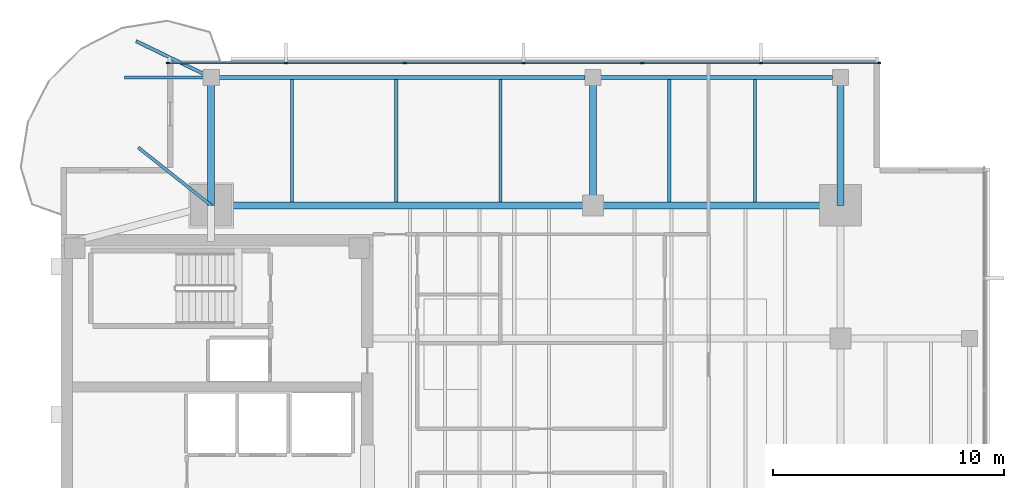
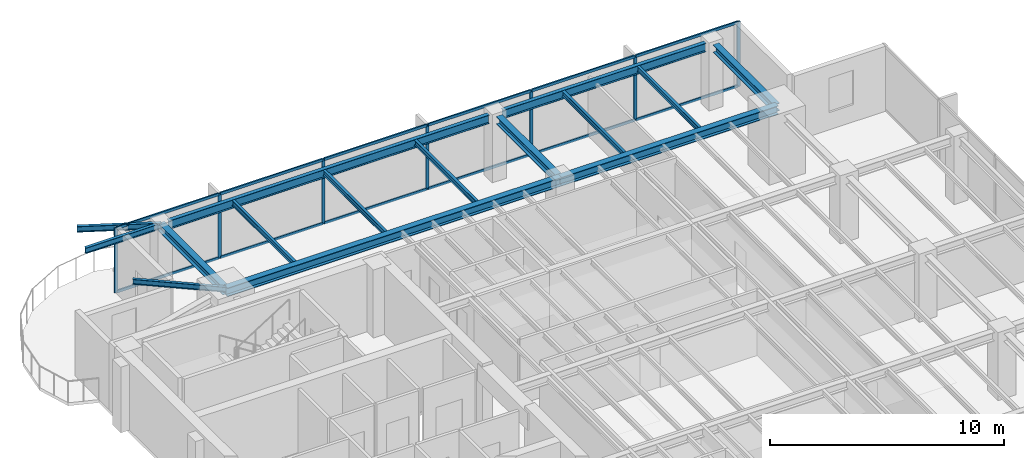
# One storey, part 5 of 14: 19 members, 15 beams, 1 element without a shape of its own.
"""IFC4 building model written with IfcOpenShell, lengths in metres."""

from ifc_helpers import new_model, si_unit, direction, frame, origin, origin_2d, place, context, subcontext, project, spatial, rectangle, i_section, extrude, material, layer, layer_set, material_profile, profile_set, type_object, element, aggregate, save


model = new_model("IFC4")

# Units and contexts
model_context = context("Model", 3, precision=1e-05, world=origin(), true_north=direction((0.0, 1.0)))
body_context = subcontext(model_context, "Body", "Model", "MODEL_VIEW")
ifc_project = project(units=[si_unit("LENGTHUNIT", "METRE"), si_unit("AREAUNIT", "SQUARE_METRE"), si_unit("VOLUMEUNIT", "CUBIC_METRE"), si_unit("PLANEANGLEUNIT", "RADIAN"), si_unit("MASSUNIT", "GRAM", prefix="KILO")], contexts=[model_context])

# Site, building, storey
site_placement = place(None, origin())
site = spatial("IfcSite", under=ifc_project, at=site_placement, CompositionType="ELEMENT")
building_placement = place(site_placement, origin())
building = spatial("IfcBuilding", under=site, at=building_placement, Name="Kinhvarn Gate Tower", CompositionType="ELEMENT")
storey_placement = place(building_placement, frame((0.0, 0.0, 263.449951171875)))
storey = spatial("IfcBuildingStorey", under=building, at=storey_placement, Name="L70", CompositionType="ELEMENT", Elevation=263.449951171875)

# Curtain wall, members
ifc_material_1 = material(Name="Anodised aluminium AW-6063", Category="aluminium")
ifc_layer = layer(ifc_material_1, 0.179931640625)
ifc_layer_set = layer_set([ifc_layer], Name="Anodised aluminium AW-6063")
curtain_wall_type = type_object("IfcCurtainWallType", Name="CW-SYS-3", PredefinedType="NOTDEFINED", material=ifc_layer_set)
curtain_wall_placement = place(storey_placement, origin())
curtain_wall = element("IfcCurtainWall", 1, at=curtain_wall_placement, inside=storey, type_object=curtain_wall_type, Name="Curtain Wall CW3 (L70)", PredefinedType="NOTDEFINED")
ifc_material_profile_1 = material_profile(ifc_material_1, rectangle(XDim=0.06494140625, YDim=0.159912109375, at=origin_2d()), Name="ALU 65x160")
ifc_profile_set_1 = profile_set([ifc_material_profile_1], Name="Anodised aluminium AW-6063")
member_type_1 = type_object("IfcMemberType", Name="CW-MUL-160", PredefinedType="MULLION", material=ifc_profile_set_1)
member_1_placement = place(storey_placement, frame((39.867431640625, 43.909912109375, 0.0), z_axis=(0.0, 0.0, 1.0), x_axis=(0.0, -1.0, 0.0)))
member_1 = element("IfcMember", 2, at=member_1_placement, type_object=member_type_1, Name="CW3 mullion 1", PredefinedType="MULLION", context=body_context, shape_type="SweptSolid", body=[
    extrude(rectangle(XDim=0.06494140625, YDim=0.159912109375, at=origin_2d()), origin(), (0.0, 0.0, 1.0), 3.39013671875),
])
member_2_placement = place(storey_placement, frame((34.7666015625, 43.909912109375, 0.0), z_axis=(0.0, 0.0, 1.0), x_axis=(0.0, -1.0, 0.0)))
member_2 = element("IfcMember", 3, at=member_2_placement, type_object=member_type_1, Name="CW3 mullion 2", PredefinedType="MULLION", context=body_context, shape_type="SweptSolid", body=[
    extrude(rectangle(XDim=0.06494140625, YDim=0.159912109375, at=origin_2d()), origin(), (0.0, 0.0, 1.0), 3.39013671875),
])
member_3_placement = place(storey_placement, frame((29.63330078125, 43.909912109375, 0.0), z_axis=(0.0, 0.0, 1.0), x_axis=(0.0, -1.0, 0.0)))
member_3 = element("IfcMember", 4, at=member_3_placement, type_object=member_type_1, Name="CW3 mullion 3", PredefinedType="MULLION", context=body_context, shape_type="SweptSolid", body=[
    extrude(rectangle(XDim=0.06494140625, YDim=0.159912109375, at=origin_2d()), origin(), (0.0, 0.0, 1.0), 3.39013671875),
])
member_4_placement = place(storey_placement, frame((24.5, 43.909912109375, 0.0), z_axis=(0.0, 0.0, 1.0), x_axis=(0.0, -1.0, 0.0)))
member_4 = element("IfcMember", 5, at=member_4_placement, type_object=member_type_1, Name="CW3 mullion 4", PredefinedType="MULLION", context=body_context, shape_type="SweptSolid", body=[
    extrude(rectangle(XDim=0.06494140625, YDim=0.159912109375, at=origin_2d()), origin(), (0.0, 0.0, 1.0), 3.39013671875),
])
member_5_placement = place(storey_placement, frame((19.36669921875, 43.909912109375, 0.0), z_axis=(0.0, 0.0, 1.0), x_axis=(0.0, -1.0, 0.0)))
member_5 = element("IfcMember", 6, at=member_5_placement, type_object=member_type_1, Name="CW3 mullion 5", PredefinedType="MULLION", context=body_context, shape_type="SweptSolid", body=[
    extrude(rectangle(XDim=0.06494140625, YDim=0.159912109375, at=origin_2d()), origin(), (0.0, 0.0, 1.0), 3.39013671875),
])
member_6_placement = place(storey_placement, frame((14.2333984375, 43.909912109375, 0.0), z_axis=(0.0, 0.0, 1.0), x_axis=(0.0, -1.0, 0.0)))
member_6 = element("IfcMember", 7, at=member_6_placement, type_object=member_type_1, Name="CW3 mullion 6", PredefinedType="MULLION", context=body_context, shape_type="SweptSolid", body=[
    extrude(rectangle(XDim=0.06494140625, YDim=0.159912109375, at=origin_2d()), origin(), (0.0, 0.0, 1.0), 3.39013671875),
])
member_7_placement = place(storey_placement, frame((9.132568359375, 43.909912109375, 0.0), z_axis=(0.0, 0.0, 1.0), x_axis=(0.0, -1.0, 0.0)))
member_7 = element("IfcMember", 8, at=member_7_placement, type_object=member_type_1, Name="CW3 mullion 7", PredefinedType="MULLION", context=body_context, shape_type="SweptSolid", body=[
    extrude(rectangle(XDim=0.06494140625, YDim=0.159912109375, at=origin_2d()), origin(), (0.0, 0.0, 1.0), 3.39013671875),
])
ifc_material_profile_2 = material_profile(ifc_material_1, rectangle(XDim=0.070068359375, YDim=0.139892578125, at=origin_2d()), Name="ALU 70x140")
ifc_profile_set_2 = profile_set([ifc_material_profile_2], Name="Anodised aluminium AW-6063")
member_type_2 = type_object("IfcMemberType", Name="CW-TRN-140", PredefinedType="USERDEFINED", material=ifc_profile_set_2)
member_8_placement = place(storey_placement, frame((39.8349609375, 43.909912109375, 0.03515625), z_axis=(-1.0, 0.0, 0.0), x_axis=(0.0, -1.0, 0.0)))
member_8 = element("IfcMember", 9, at=member_8_placement, type_object=member_type_2, Name="CW3 transom 1.1", ObjectType="TRANSOM", PredefinedType="USERDEFINED", context=body_context, shape_type="SweptSolid", body=[
    extrude(rectangle(XDim=0.070068359375, YDim=0.139892578125, at=origin_2d()), origin(), (0.0, 0.0, 1.0), 5.035888671875),
])
member_9_placement = place(storey_placement, frame((39.8349609375, 43.909912109375, 3.35498046875), z_axis=(-1.0, 0.0, 0.0), x_axis=(0.0, -1.0, 0.0)))
member_9 = element("IfcMember", 10, at=member_9_placement, type_object=member_type_2, Name="CW3 transom 1.2", ObjectType="TRANSOM", PredefinedType="USERDEFINED", context=body_context, shape_type="SweptSolid", body=[
    extrude(rectangle(XDim=0.070068359375, YDim=0.139892578125, at=origin_2d()), origin(), (0.0, 0.0, 1.0), 5.035888671875),
])
member_10_placement = place(storey_placement, frame((34.734130859375, 43.909912109375, 0.03515625), z_axis=(-1.0, 0.0, 0.0), x_axis=(0.0, -1.0, 0.0)))
member_10 = element("IfcMember", 11, at=member_10_placement, type_object=member_type_2, Name="CW3 transom 2.1", ObjectType="TRANSOM", PredefinedType="USERDEFINED", context=body_context, shape_type="SweptSolid", body=[
    extrude(rectangle(XDim=0.070068359375, YDim=0.139892578125, at=origin_2d()), origin(), (0.0, 0.0, 1.0), 5.068359375),
])
member_11_placement = place(storey_placement, frame((34.734130859375, 43.909912109375, 3.35498046875), z_axis=(-1.0, 0.0, 0.0), x_axis=(0.0, -1.0, 0.0)))
member_11 = element("IfcMember", 12, at=member_11_placement, type_object=member_type_2, Name="CW3 transom 2.2", ObjectType="TRANSOM", PredefinedType="USERDEFINED", context=body_context, shape_type="SweptSolid", body=[
    extrude(rectangle(XDim=0.070068359375, YDim=0.139892578125, at=origin_2d()), origin(), (0.0, 0.0, 1.0), 5.068359375),
])
member_12_placement = place(storey_placement, frame((29.600830078125, 43.909912109375, 0.03515625), z_axis=(-1.0, 0.0, 0.0), x_axis=(0.0, -1.0, 0.0)))
member_12 = element("IfcMember", 13, at=member_12_placement, type_object=member_type_2, Name="CW3 transom 3.1", ObjectType="TRANSOM", PredefinedType="USERDEFINED", context=body_context, shape_type="SweptSolid", body=[
    extrude(rectangle(XDim=0.070068359375, YDim=0.139892578125, at=origin_2d()), origin(), (0.0, 0.0, 1.0), 5.068359375),
])
member_13_placement = place(storey_placement, frame((29.600830078125, 43.909912109375, 3.35498046875), z_axis=(-1.0, 0.0, 0.0), x_axis=(0.0, -1.0, 0.0)))
member_13 = element("IfcMember", 14, at=member_13_placement, type_object=member_type_2, Name="CW3 transom 3.2", ObjectType="TRANSOM", PredefinedType="USERDEFINED", context=body_context, shape_type="SweptSolid", body=[
    extrude(rectangle(XDim=0.070068359375, YDim=0.139892578125, at=origin_2d()), origin(), (0.0, 0.0, 1.0), 5.068359375),
])
member_14_placement = place(storey_placement, frame((24.467529296875, 43.909912109375, 0.03515625), z_axis=(-1.0, 0.0, 0.0), x_axis=(0.0, -1.0, 0.0)))
member_14 = element("IfcMember", 15, at=member_14_placement, type_object=member_type_2, Name="CW3 transom 4.1", ObjectType="TRANSOM", PredefinedType="USERDEFINED", context=body_context, shape_type="SweptSolid", body=[
    extrude(rectangle(XDim=0.070068359375, YDim=0.139892578125, at=origin_2d()), origin(), (0.0, 0.0, 1.0), 5.068359375),
])
member_15_placement = place(storey_placement, frame((24.467529296875, 43.909912109375, 3.35498046875), z_axis=(-1.0, 0.0, 0.0), x_axis=(0.0, -1.0, 0.0)))
member_15 = element("IfcMember", 16, at=member_15_placement, type_object=member_type_2, Name="CW3 transom 4.2", ObjectType="TRANSOM", PredefinedType="USERDEFINED", context=body_context, shape_type="SweptSolid", body=[
    extrude(rectangle(XDim=0.070068359375, YDim=0.139892578125, at=origin_2d()), origin(), (0.0, 0.0, 1.0), 5.068359375),
])
member_16_placement = place(storey_placement, frame((19.334228515625, 43.909912109375, 0.03515625), z_axis=(-1.0, 0.0, 0.0), x_axis=(0.0, -1.0, 0.0)))
member_16 = element("IfcMember", 17, at=member_16_placement, type_object=member_type_2, Name="CW3 transom 5.1", ObjectType="TRANSOM", PredefinedType="USERDEFINED", context=body_context, shape_type="SweptSolid", body=[
    extrude(rectangle(XDim=0.070068359375, YDim=0.139892578125, at=origin_2d()), origin(), (0.0, 0.0, 1.0), 5.068359375),
])
member_17_placement = place(storey_placement, frame((19.334228515625, 43.909912109375, 3.35498046875), z_axis=(-1.0, 0.0, 0.0), x_axis=(0.0, -1.0, 0.0)))
member_17 = element("IfcMember", 18, at=member_17_placement, type_object=member_type_2, Name="CW3 transom 5.2", ObjectType="TRANSOM", PredefinedType="USERDEFINED", context=body_context, shape_type="SweptSolid", body=[
    extrude(rectangle(XDim=0.070068359375, YDim=0.139892578125, at=origin_2d()), origin(), (0.0, 0.0, 1.0), 5.068359375),
])
member_18_placement = place(storey_placement, frame((14.200927734375, 43.909912109375, 0.03515625), z_axis=(-1.0, 0.0, 0.0), x_axis=(0.0, -1.0, 0.0)))
member_18 = element("IfcMember", 19, at=member_18_placement, type_object=member_type_2, Name="CW3 transom 6.1", ObjectType="TRANSOM", PredefinedType="USERDEFINED", context=body_context, shape_type="SweptSolid", body=[
    extrude(rectangle(XDim=0.070068359375, YDim=0.139892578125, at=origin_2d()), origin(), (0.0, 0.0, 1.0), 5.035888671875),
])
member_19_placement = place(storey_placement, frame((14.200927734375, 43.909912109375, 3.35498046875), z_axis=(-1.0, 0.0, 0.0), x_axis=(0.0, -1.0, 0.0)))
member_19 = element("IfcMember", 20, at=member_19_placement, type_object=member_type_2, Name="CW3 transom 6.2", ObjectType="TRANSOM", PredefinedType="USERDEFINED", context=body_context, shape_type="SweptSolid", body=[
    extrude(rectangle(XDim=0.070068359375, YDim=0.139892578125, at=origin_2d()), origin(), (0.0, 0.0, 1.0), 5.035888671875),
])
aggregate(curtain_wall, [member_1, member_2, member_3, member_4, member_5, member_6, member_7, member_8, member_9, member_10, member_11, member_12, member_13, member_14, member_15, member_16, member_17, member_18, member_19])

# Beams
ifc_material_2 = material(Name="Steel S355", Category="steel")
ifc_material_profile_3 = material_profile(ifc_material_2, i_section(OverallWidth=0.300048828125, OverallDepth=0.39990234375, WebThickness=0.013427734375, FlangeThickness=0.02392578125, at=origin_2d()), Name="HEB 400")
ifc_profile_set_3 = profile_set([ifc_material_profile_3], Name="Steel S355")
beam_type_1 = type_object("IfcBeamType", Name="STL-HEB400", PredefinedType="BEAM", material=ifc_profile_set_3)
beam_1_placement = place(storey_placement, frame((11.0, 37.75, 3.18994140625), z_axis=(0.0, 1.0, 0.0), x_axis=(-1.0, 0.0, 0.0)))
element("IfcBeam", 21, at=beam_1_placement, inside=storey, type_object=beam_type_1, Name="Floor Beam PG-12 (L70 MCW-N)", PredefinedType="BEAM", context=body_context, shape_type="SweptSolid", body=[
    extrude(i_section(OverallWidth=0.300048828125, OverallDepth=0.39990234375, WebThickness=0.013427734375, FlangeThickness=0.02392578125, at=origin_2d()), origin(), (0.0, 0.0, 1.0), 5.530029296875),
])
for number, where, z_axis, x_axis, name in (
    (22, (27.5, 37.75, 3.18994140625), (0.0, 1.0, 0.0), (-1.0, 0.0, 0.0), "Floor Beam PG-12 (L70 SP27-N-TIE)"),
    (23, (38.199951171875, 37.75, 3.18994140625), (0.0, 1.0, 0.0), (-1.0, 0.0, 0.0), "Floor Beam PG-12 (L70 MCE-N)"),
):
    element("IfcBeam", number, at=place(storey_placement, frame(where, z_axis=z_axis, x_axis=x_axis)), inside=storey, type_object=beam_type_1, Name=name, PredefinedType="BEAM", context=body_context, shape_type="SweptSolid", body=[
        extrude(i_section(OverallWidth=0.300048828125, OverallDepth=0.39990234375, WebThickness=0.013427734375, FlangeThickness=0.02392578125, at=origin_2d()), origin(), (0.0, 0.0, 1.0), 5.195068359375),
    ])
ifc_material_profile_4 = material_profile(ifc_material_2, i_section(OverallWidth=0.300048828125, OverallDepth=0.449951171875, WebThickness=0.013916015625, FlangeThickness=0.02587890625, at=origin_2d()), Name="HEB 450")
ifc_profile_set_4 = profile_set([ifc_material_profile_4], Name="Steel S355")
beam_type_2 = type_object("IfcBeamType", Name="STL-HEB450", PredefinedType="BEAM", material=ifc_profile_set_4)
beam_2_placement = place(storey_placement, frame((11.0, 37.75, 3.1650390625), z_axis=(1.0, 0.0, 0.0), x_axis=(0.0, 1.0, 0.0)))
element("IfcBeam", 24, at=beam_2_placement, inside=storey, type_object=beam_type_2, Name="Floor Beam PG-13 (L70 MG-N1)", PredefinedType="BEAM", context=body_context, shape_type="SweptSolid", body=[
    extrude(i_section(OverallWidth=0.300048828125, OverallDepth=0.449951171875, WebThickness=0.013916015625, FlangeThickness=0.02587890625, at=origin_2d()), origin(), (0.0, 0.0, 1.0), 16.5),
])
beam_3_placement = place(storey_placement, frame((27.5, 37.75, 3.1650390625), z_axis=(1.0, 0.0, 0.0), x_axis=(0.0, 1.0, 0.0)))
element("IfcBeam", 25, at=beam_3_placement, inside=storey, type_object=beam_type_2, Name="Floor Beam PG-13 (L70 MG-N2)", PredefinedType="BEAM", context=body_context, shape_type="SweptSolid", body=[
    extrude(i_section(OverallWidth=0.300048828125, OverallDepth=0.449951171875, WebThickness=0.013916015625, FlangeThickness=0.02587890625, at=origin_2d()), origin(), (0.0, 0.0, 1.0), 10.699951171875),
])
ifc_material_profile_5 = material_profile(ifc_material_2, i_section(OverallWidth=0.135009765625, OverallDepth=0.27001953125, WebThickness=0.006591796875, FlangeThickness=0.01025390625, at=origin_2d()), Name="IPE 270")
ifc_profile_set_5 = profile_set([ifc_material_profile_5], Name="Steel S355")
beam_type_3 = type_object("IfcBeamType", Name="STL-IPE270", PredefinedType="JOIST", material=ifc_profile_set_5)
for number, where, z_axis, x_axis, name in (
    (26, (14.5, 37.89990234375, 3.255126953125), (0.0, 1.0, 0.0), (-1.0, 0.0, 0.0), "Floor Joist SB-01 (L70 JN-X145)"),
    (27, (19.0, 37.89990234375, 3.255126953125), (0.0, 1.0, 0.0), (-1.0, 0.0, 0.0), "Floor Joist SB-01 (L70 JN-X190)"),
    (28, (23.5, 37.89990234375, 3.255126953125), (0.0, 1.0, 0.0), (-1.0, 0.0, 0.0), "Floor Joist SB-01 (L70 JN-X235)"),
    (29, (30.800048828125, 37.89990234375, 3.255126953125), (0.0, 1.0, 0.0), (-1.0, 0.0, 0.0), "Floor Joist SB-01 (L70 JN-X308)"),
    (30, (34.5, 37.89990234375, 3.255126953125), (0.0, 1.0, 0.0), (-1.0, 0.0, 0.0), "Floor Joist SB-01 (L70 JN-X345)"),
):
    element("IfcBeam", number, at=place(storey_placement, frame(where, z_axis=z_axis, x_axis=x_axis)), inside=storey, type_object=beam_type_3, Name=name, PredefinedType="JOIST", context=body_context, shape_type="SweptSolid", body=[
        extrude(i_section(OverallWidth=0.135009765625, OverallDepth=0.27001953125, WebThickness=0.006591796875, FlangeThickness=0.01025390625, at=origin_2d()), origin(), (0.0, 0.0, 1.0), 5.28515625),
    ])
beam_4_placement = place(storey_placement, frame((11.0, 37.75, 3.255126953125), z_axis=(-0.783279518214, 0.621669684275, 0.0), x_axis=(-0.621669684275, -0.783279518214, 0.0)))
element("IfcBeam", 31, at=beam_4_placement, inside=storey, type_object=beam_type_3, Name="Floor Joist SB-01 (L70 BAL-B3-L71)", PredefinedType="JOIST", context=body_context, shape_type="SweptSolid", body=[
    extrude(i_section(OverallWidth=0.135009765625, OverallDepth=0.27001953125, WebThickness=0.006591796875, FlangeThickness=0.01025390625, at=origin_2d()), origin(), (0.0, 0.0, 1.0), 4.021484375),
])
ifc_material_profile_6 = material_profile(ifc_material_2, i_section(OverallWidth=0.14990234375, OverallDepth=0.300048828125, WebThickness=0.007080078125, FlangeThickness=0.0107421875, at=origin_2d()), Name="IPE 300")
ifc_profile_set_6 = profile_set([ifc_material_profile_6], Name="Steel S355")
beam_type_4 = type_object("IfcBeamType", Name="STL-IPE300", PredefinedType="JOIST", material=ifc_profile_set_6)
beam_5_placement = place(storey_placement, frame((11.0, 43.280029296875, 3.239990234375), z_axis=(-1.0, 0.0, 0.0), x_axis=(0.0, -1.0, 0.0)))
element("IfcBeam", 32, at=beam_5_placement, inside=storey, type_object=beam_type_4, Name="Floor Joist SB-02 (L70 BAL-B1-L71)", PredefinedType="JOIST", context=body_context, shape_type="SweptSolid", body=[
    extrude(i_section(OverallWidth=0.14990234375, OverallDepth=0.300048828125, WebThickness=0.007080078125, FlangeThickness=0.0107421875, at=origin_2d()), origin(), (0.0, 0.0, 1.0), 3.75),
])
beam_6_placement = place(storey_placement, frame((11.0, 43.280029296875, 3.239990234375), z_axis=(-0.900431975558, 0.434996847567, 0.0), x_axis=(-0.434996847567, -0.900431975558, 0.0)))
element("IfcBeam", 33, at=beam_6_placement, inside=storey, type_object=beam_type_4, Name="Floor Joist SB-02 (L70 BAL-B2-L71)", PredefinedType="JOIST", context=body_context, shape_type="SweptSolid", body=[
    extrude(i_section(OverallWidth=0.14990234375, OverallDepth=0.300048828125, WebThickness=0.007080078125, FlangeThickness=0.0107421875, at=origin_2d()), origin(), (0.0, 0.0, 1.0), 3.609375),
])
ifc_material_profile_7 = material_profile(ifc_material_2, i_section(OverallWidth=0.18994140625, OverallDepth=0.449951171875, WebThickness=0.009521484375, FlangeThickness=0.0146484375, at=origin_2d()), Name="IPE 450")
ifc_profile_set_7 = profile_set([ifc_material_profile_7], Name="Steel S355")
beam_type_5 = type_object("IfcBeamType", Name="STL-IPE450", PredefinedType="JOIST", material=ifc_profile_set_7)
beam_7_placement = place(storey_placement, frame((11.3349609375, 43.280029296875, 3.1650390625), z_axis=(1.0, 0.0, 0.0), x_axis=(0.0, 1.0, 0.0)))
element("IfcBeam", 34, at=beam_7_placement, inside=storey, type_object=beam_type_5, Name="Floor Joist SB-06 (L70 SP-N1)", PredefinedType="JOIST", context=body_context, shape_type="SweptSolid", body=[
    extrude(i_section(OverallWidth=0.18994140625, OverallDepth=0.449951171875, WebThickness=0.009521484375, FlangeThickness=0.0146484375, at=origin_2d()), origin(), (0.0, 0.0, 1.0), 15.830078125),
])
beam_8_placement = place(storey_placement, frame((27.8349609375, 43.280029296875, 3.1650390625), z_axis=(1.0, 0.0, 0.0), x_axis=(0.0, 1.0, 0.0)))
element("IfcBeam", 35, at=beam_8_placement, inside=storey, type_object=beam_type_5, Name="Floor Joist SB-06 (L70 SP-N2)", PredefinedType="JOIST", context=body_context, shape_type="SweptSolid", body=[
    extrude(i_section(OverallWidth=0.18994140625, OverallDepth=0.449951171875, WebThickness=0.009521484375, FlangeThickness=0.0146484375, at=origin_2d()), origin(), (0.0, 0.0, 1.0), 10.030029296875),
])

save(model, "model.ifc")
